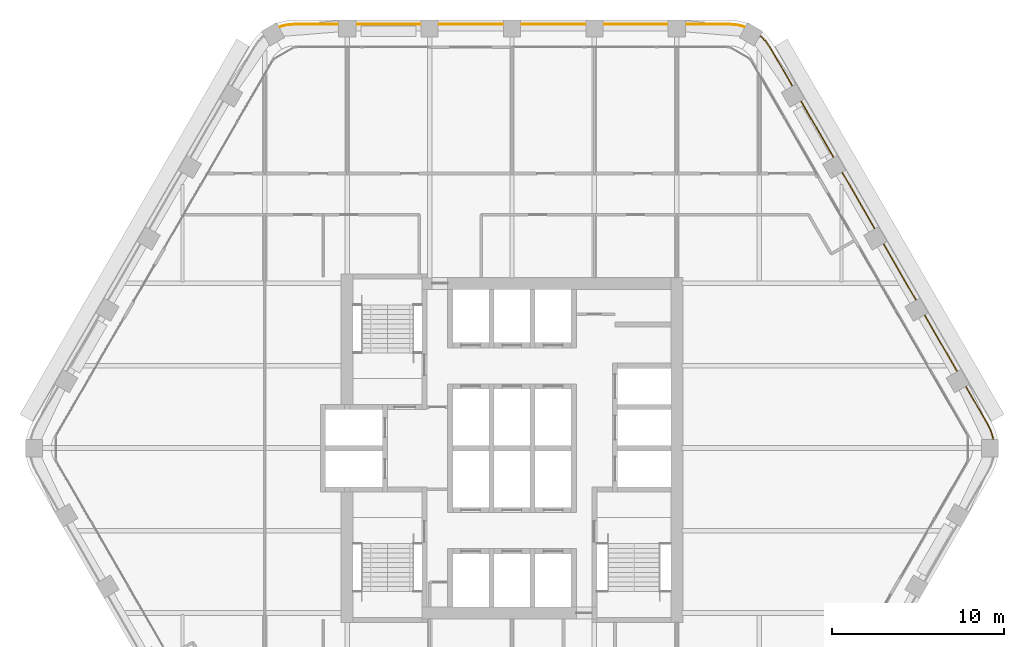
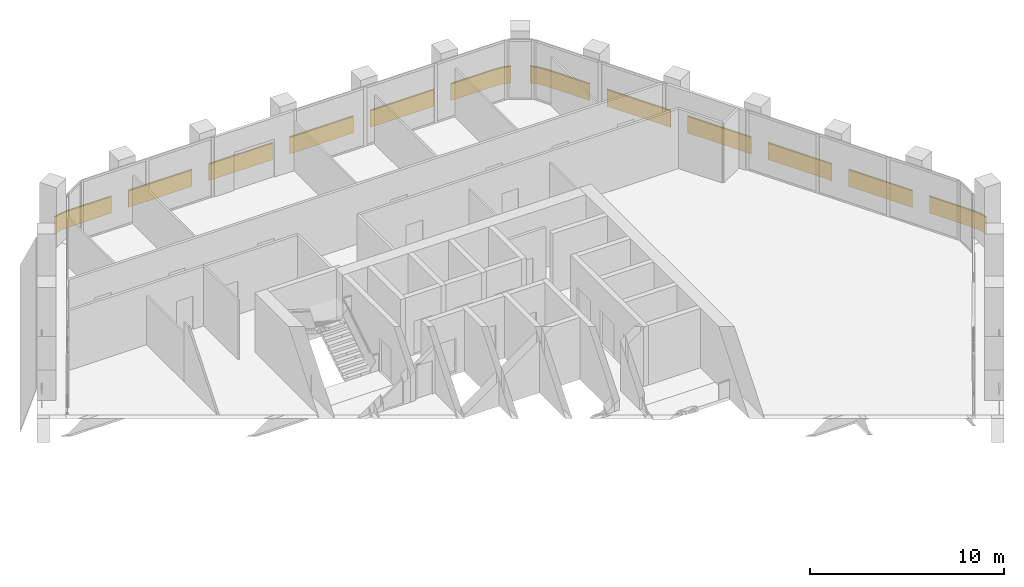
# One storey, part 15 of 15: 2 railings.
"""IFC4 building model written with IfcOpenShell, lengths in metres."""

from ifc_helpers import new_model, si_unit, direction, frame, frame_2d, origin, origin_2d, place, context, subcontext, project, spatial, rectangle, extrude, material, type_object, element, save


model = new_model("IFC4")

# Units and contexts
model_context = context("Model", 3, precision=1e-05, world=origin(), true_north=direction((0.0, 1.0)))
body_context = subcontext(model_context, "Body", "Model", "MODEL_VIEW")
ifc_project = project(units=[si_unit("LENGTHUNIT", "METRE"), si_unit("AREAUNIT", "SQUARE_METRE"), si_unit("VOLUMEUNIT", "CUBIC_METRE"), si_unit("PLANEANGLEUNIT", "RADIAN"), si_unit("MASSUNIT", "GRAM", prefix="KILO")], contexts=[model_context])

# Site, building, storey
site_placement = place(None, origin())
site = spatial("IfcSite", under=ifc_project, at=site_placement, CompositionType="ELEMENT")
building_placement = place(site_placement, origin())
building = spatial("IfcBuilding", under=site, at=building_placement, Name="Kolab Exchange Tower", CompositionType="ELEMENT")
storey_placement = place(building_placement, frame((0.0, 0.0, 201.199951171875)))
storey = spatial("IfcBuildingStorey", under=building, at=storey_placement, Name="L43", CompositionType="ELEMENT", Elevation=201.199951171875)

# Railings
ifc_material = material(Name="Steel S235", Category="steel")
railing_type = type_object("IfcRailingType", Name="GUARD 1100 GLASS BALUSTRADE AND STEEL TOP RAIL", PredefinedType="GUARDRAIL", material=ifc_material)
railing_1_placement = place(storey_placement, frame((13.588623046875, 24.531005859375, 0.0)))
element("IfcRailing", 1, at=railing_1_placement, inside=storey, type_object=railing_type, Name="Guard", PredefinedType="GUARDRAIL", context=body_context, shape_type="SweptSolid", body=[
    extrude(rectangle(XDim=0.05, YDim=0.05, at=origin_2d()), frame((0.0, 0.0, 1.0751953125), z_axis=(-0.965969425465, 0.25865627591, 0.0), x_axis=(-0.25865627591, -0.965969425465, 0.0)), (0.0, 0.0, 1.0), 0.458740234375),
    extrude(rectangle(XDim=0.012, YDim=1.05009765625, at=frame_2d((0.0, 0.525146484375))), frame((0.0, 0.0, 0.0), z_axis=(-0.965969425465, 0.25865627591, 0.0), x_axis=(-0.25865627591, -0.965969425465, 0.0)), (0.0, 0.0, 1.0), 0.458740234375),
    extrude(rectangle(XDim=0.05, YDim=0.05, at=origin_2d()), frame((-0.443115234375, 0.11865234375, 1.0751953125), z_axis=(-0.996156034798, 0.087596542937, 0.0), x_axis=(-0.087596542937, -0.996156034798, 0.0)), (0.0, 0.0, 1.0), 0.4794921875),
    extrude(rectangle(XDim=0.012, YDim=1.05009765625, at=frame_2d((0.0, 0.525146484375))), frame((-0.443115234375, 0.11865234375, 0.0), z_axis=(-0.996156034798, 0.087596542937, 0.0), x_axis=(-0.087596542937, -0.996156034798, 0.0)), (0.0, 0.0, 1.0), 0.4794921875),
    extrude(rectangle(XDim=0.05, YDim=0.05, at=origin_2d()), frame((-0.920654296875, 0.16064453125, 1.0751953125), z_axis=(-1.0, 0.0, 0.0), x_axis=(0.0, -1.0, 0.0)), (0.0, 0.0, 1.0), 2.56787109375),
    extrude(rectangle(XDim=0.012, YDim=1.05009765625, at=frame_2d((0.0, 0.525146484375))), frame((-0.920654296875, 0.16064453125, 0.0), z_axis=(-1.0, 0.0, 0.0), x_axis=(0.0, -1.0, 0.0)), (0.0, 0.0, 1.0), 2.56787109375),
    extrude(rectangle(XDim=0.05, YDim=0.05, at=origin_2d()), frame((-4.488525390625, 0.16064453125, 1.0751953125), z_axis=(-1.0, 0.0, 0.0), x_axis=(0.0, -1.0, 0.0)), (0.0, 0.0, 1.0), 3.800048828125),
    extrude(rectangle(XDim=0.012, YDim=1.05009765625, at=frame_2d((0.0, 0.525146484375))), frame((-4.488525390625, 0.16064453125, 0.0), z_axis=(-1.0, 0.0, 0.0), x_axis=(0.0, -1.0, 0.0)), (0.0, 0.0, 1.0), 3.800048828125),
    extrude(rectangle(XDim=0.05, YDim=0.05, at=origin_2d()), frame((-9.28857421875, 0.16064453125, 1.0751953125), z_axis=(-1.0, 0.0, 0.0), x_axis=(0.0, -1.0, 0.0)), (0.0, 0.0, 1.0), 3.800048828125),
    extrude(rectangle(XDim=0.012, YDim=1.05009765625, at=frame_2d((0.0, 0.525146484375))), frame((-9.28857421875, 0.16064453125, 0.0), z_axis=(-1.0, 0.0, 0.0), x_axis=(0.0, -1.0, 0.0)), (0.0, 0.0, 1.0), 3.800048828125),
    extrude(rectangle(XDim=0.05, YDim=0.05, at=origin_2d()), frame((-14.088623046875, 0.16064453125, 1.0751953125), z_axis=(-1.0, 0.0, 0.0), x_axis=(0.0, -1.0, 0.0)), (0.0, 0.0, 1.0), 3.800048828125),
    extrude(rectangle(XDim=0.012, YDim=1.05009765625, at=frame_2d((0.0, 0.525146484375))), frame((-14.088623046875, 0.16064453125, 0.0), z_axis=(-1.0, 0.0, 0.0), x_axis=(0.0, -1.0, 0.0)), (0.0, 0.0, 1.0), 3.800048828125),
    extrude(rectangle(XDim=0.05, YDim=0.05, at=origin_2d()), frame((-18.888671875, 0.16064453125, 1.0751953125), z_axis=(-1.0, 0.0, 0.0), x_axis=(0.0, -1.0, 0.0)), (0.0, 0.0, 1.0), 3.800048828125),
    extrude(rectangle(XDim=0.012, YDim=1.05009765625, at=frame_2d((0.0, 0.525146484375))), frame((-18.888671875, 0.16064453125, 0.0), z_axis=(-1.0, 0.0, 0.0), x_axis=(0.0, -1.0, 0.0)), (0.0, 0.0, 1.0), 3.800048828125),
    extrude(rectangle(XDim=0.05, YDim=0.05, at=origin_2d()), frame((-23.688720703125, 0.16064453125, 1.0751953125), z_axis=(-1.0, 0.0, 0.0), x_axis=(0.0, -1.0, 0.0)), (0.0, 0.0, 1.0), 2.56787109375),
    extrude(rectangle(XDim=0.012, YDim=1.05009765625, at=frame_2d((0.0, 0.525146484375))), frame((-23.688720703125, 0.16064453125, 0.0), z_axis=(-1.0, 0.0, 0.0), x_axis=(0.0, -1.0, 0.0)), (0.0, 0.0, 1.0), 2.56787109375),
    extrude(rectangle(XDim=0.05, YDim=0.05, at=origin_2d()), frame((-26.256591796875, 0.16064453125, 1.0751953125), z_axis=(-0.996156034798, -0.087596542937, 0.0), x_axis=(0.087596542937, -0.996156034798, 0.0)), (0.0, 0.0, 1.0), 0.4794921875),
    extrude(rectangle(XDim=0.012, YDim=1.05009765625, at=frame_2d((0.0, 0.525146484375))), frame((-26.256591796875, 0.16064453125, 0.0), z_axis=(-0.996156034798, -0.087596542937, 0.0), x_axis=(0.087596542937, -0.996156034798, 0.0)), (0.0, 0.0, 1.0), 0.4794921875),
    extrude(rectangle(XDim=0.05, YDim=0.05, at=origin_2d()), frame((-26.734130859375, 0.11865234375, 1.0751953125), z_axis=(-0.965969425465, -0.25865627591, 0.0), x_axis=(0.25865627591, -0.965969425465, 0.0)), (0.0, 0.0, 1.0), 0.458740234375),
    extrude(rectangle(XDim=0.012, YDim=1.05009765625, at=frame_2d((0.0, 0.525146484375))), frame((-26.734130859375, 0.11865234375, 0.0), z_axis=(-0.965969425465, -0.25865627591, 0.0), x_axis=(0.25865627591, -0.965969425465, 0.0)), (0.0, 0.0, 1.0), 0.458740234375),
])
railing_2_placement = place(storey_placement, frame((28.038818359375, 0.49755859375, 0.0)))
element("IfcRailing", 2, at=railing_2_placement, inside=storey, type_object=railing_type, Name="Guard", PredefinedType="GUARDRAIL", context=body_context, shape_type="SweptSolid", body=[
    extrude(rectangle(XDim=0.05, YDim=0.05, at=origin_2d()), frame((0.0, 0.0, 1.0751953125), z_axis=(-0.25865627591, 0.965969425465, 0.0), x_axis=(-0.965969425465, -0.25865627591, 0.0)), (0.0, 0.0, 1.0), 0.458740234375),
    extrude(rectangle(XDim=0.012, YDim=1.05009765625, at=frame_2d((0.0, 0.525146484375))), frame((0.0, 0.0, 0.0), z_axis=(-0.25865627591, 0.965969425465, 0.0), x_axis=(-0.965969425465, -0.25865627591, 0.0)), (0.0, 0.0, 1.0), 0.458740234375),
    extrude(rectangle(XDim=0.05, YDim=0.05, at=origin_2d()), frame((-0.11865234375, 0.443115234375, 1.0751953125), z_axis=(-0.422801802984, 0.906222177721, 0.0), x_axis=(-0.906222177721, -0.422801802984, 0.0)), (0.0, 0.0, 1.0), 0.479248046875),
    extrude(rectangle(XDim=0.012, YDim=1.05009765625, at=frame_2d((0.0, 0.525146484375))), frame((-0.11865234375, 0.443115234375, 0.0), z_axis=(-0.422801802984, 0.906222177721, 0.0), x_axis=(-0.906222177721, -0.422801802984, 0.0)), (0.0, 0.0, 1.0), 0.479248046875),
    extrude(rectangle(XDim=0.05, YDim=0.05, at=origin_2d()), frame((-0.3212890625, 0.87744140625, 1.0751953125), z_axis=(-0.499994038704, 0.866028845513, 0.0), x_axis=(-0.866028845513, -0.499994038704, 0.0)), (0.0, 0.0, 1.0), 2.56787109375),
    extrude(rectangle(XDim=0.012, YDim=1.05009765625, at=frame_2d((0.0, 0.525146484375))), frame((-0.3212890625, 0.87744140625, 0.0), z_axis=(-0.499994038704, 0.866028845513, 0.0), x_axis=(-0.866028845513, -0.499994038704, 0.0)), (0.0, 0.0, 1.0), 2.56787109375),
    extrude(rectangle(XDim=0.05, YDim=0.05, at=origin_2d()), frame((-2.105224609375, 3.96728515625, 1.0751953125), z_axis=(-0.500015340139, 0.86601654697, 0.0), x_axis=(-0.86601654697, -0.500015340139, 0.0)), (0.0, 0.0, 1.0), 3.80029296875),
    extrude(rectangle(XDim=0.012, YDim=1.05009765625, at=frame_2d((0.0, 0.525146484375))), frame((-2.105224609375, 3.96728515625, 0.0), z_axis=(-0.500015340139, 0.86601654697, 0.0), x_axis=(-0.86601654697, -0.500015340139, 0.0)), (0.0, 0.0, 1.0), 3.80029296875),
    extrude(rectangle(XDim=0.05, YDim=0.05, at=origin_2d()), frame((-4.50537109375, 8.124267578125, 1.0751953125), z_axis=(-0.499967155389, 0.866044365799, 0.0), x_axis=(-0.866044365799, -0.499967155389, 0.0)), (0.0, 0.0, 1.0), 3.800048828125),
    extrude(rectangle(XDim=0.012, YDim=1.05009765625, at=frame_2d((0.0, 0.525146484375))), frame((-4.50537109375, 8.124267578125, 0.0), z_axis=(-0.499967155389, 0.866044365799, 0.0), x_axis=(-0.866044365799, -0.499967155389, 0.0)), (0.0, 0.0, 1.0), 3.800048828125),
    extrude(rectangle(XDim=0.05, YDim=0.05, at=origin_2d()), frame((-6.9052734375, 12.28125, 1.0751953125), z_axis=(-0.500043160704, 0.866000483506, 0.0), x_axis=(-0.866000483506, -0.500043160704, 0.0)), (0.0, 0.0, 1.0), 3.800048828125),
    extrude(rectangle(XDim=0.012, YDim=1.05009765625, at=frame_2d((0.0, 0.525146484375))), frame((-6.9052734375, 12.28125, 0.0), z_axis=(-0.500043160704, 0.866000483506, 0.0), x_axis=(-0.866000483506, -0.500043160704, 0.0)), (0.0, 0.0, 1.0), 3.800048828125),
    extrude(rectangle(XDim=0.05, YDim=0.05, at=origin_2d()), frame((-9.305419921875, 16.438232421875, 1.0751953125), z_axis=(-0.499994975061, 0.866028304915, 0.0), x_axis=(-0.866028304915, -0.499994975061, 0.0)), (0.0, 0.0, 1.0), 3.7998046875),
    extrude(rectangle(XDim=0.012, YDim=1.05009765625, at=frame_2d((0.0, 0.525146484375))), frame((-9.305419921875, 16.438232421875, 0.0), z_axis=(-0.499994975061, 0.866028304915, 0.0), x_axis=(-0.866028304915, -0.499994975061, 0.0)), (0.0, 0.0, 1.0), 3.7998046875),
    extrude(rectangle(XDim=0.05, YDim=0.05, at=origin_2d()), frame((-11.705322265625, 20.594970703125, 1.0751953125), z_axis=(-0.499952873616, 0.866052610505, 0.0), x_axis=(-0.866052610505, -0.499952873616, 0.0)), (0.0, 0.0, 1.0), 2.568115234375),
    extrude(rectangle(XDim=0.012, YDim=1.05009765625, at=frame_2d((0.0, 0.525146484375))), frame((-11.705322265625, 20.594970703125, 0.0), z_axis=(-0.499952873616, 0.866052610505, 0.0), x_axis=(-0.866052610505, -0.499952873616, 0.0)), (0.0, 0.0, 1.0), 2.568115234375),
    extrude(rectangle(XDim=0.05, YDim=0.05, at=origin_2d()), frame((-12.9892578125, 22.819091796875, 1.0751953125), z_axis=(-0.573599091554, 0.819136180478, 0.0), x_axis=(-0.819136180478, -0.573599091554, 0.0)), (0.0, 0.0, 1.0), 0.479248046875),
    extrude(rectangle(XDim=0.012, YDim=1.05009765625, at=frame_2d((0.0, 0.525146484375))), frame((-12.9892578125, 22.819091796875, 0.0), z_axis=(-0.573599091554, 0.819136180478, 0.0), x_axis=(-0.819136180478, -0.573599091554, 0.0)), (0.0, 0.0, 1.0), 0.479248046875),
    extrude(rectangle(XDim=0.05, YDim=0.05, at=origin_2d()), frame((-13.26416015625, 23.211669921875, 1.0751953125), z_axis=(-0.70737286085, 0.706840601361, 0.0), x_axis=(-0.706840601361, -0.70737286085, 0.0)), (0.0, 0.0, 1.0), 0.458740234375),
    extrude(rectangle(XDim=0.012, YDim=1.05009765625, at=frame_2d((0.0, 0.525146484375))), frame((-13.26416015625, 23.211669921875, 0.0), z_axis=(-0.70737286085, 0.706840601361, 0.0), x_axis=(-0.706840601361, -0.70737286085, 0.0)), (0.0, 0.0, 1.0), 0.458740234375),
])

save(model, "model.ifc")
